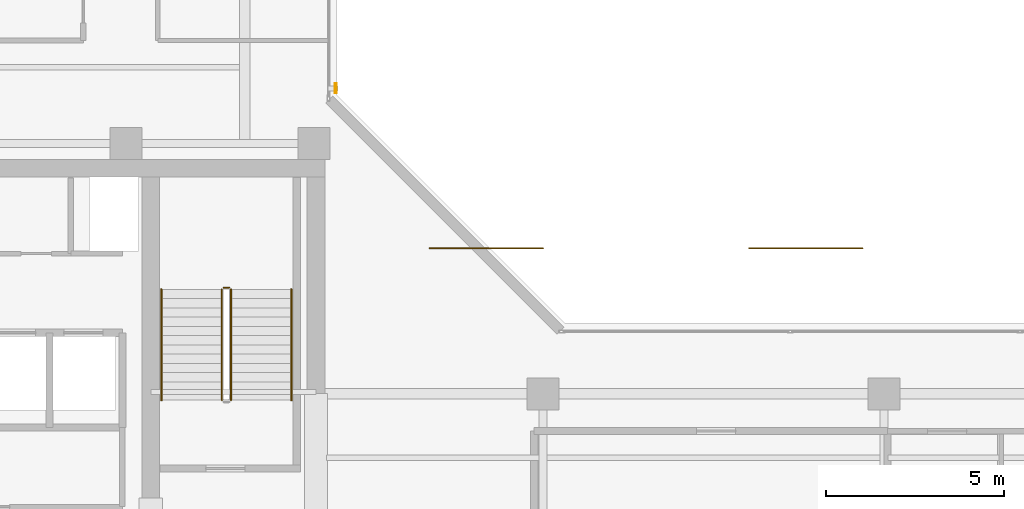
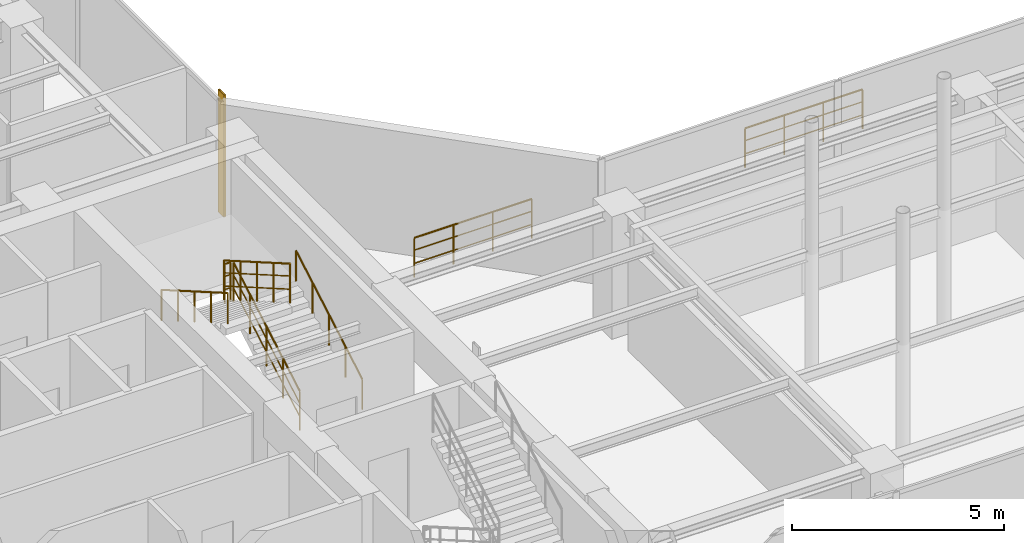
# One storey, part 30 of 32: 7 railings, 1 shading device.
"""IFC4 building model written with IfcOpenShell, lengths in metres."""

import ifcopenshell
import ifcopenshell.guid

model = None  # the IFC model being written
_history = None  # IfcOwnerHistory: only IFC2X3 demands one
_inside = {}  # id of a spatial element -> (the spatial element, [elements in it])
_under = {}  # id of a project, library or spatial element -> (it, [spatial elements below it])
_declared = {}  # id of a project -> (the project, [libraries it declares])
_typed = {}  # id of a type object -> (the type object, [elements of that type])
_made_of = {}  # id of a material, layer set ... -> (it, [elements and type objects made of it])


def new_model(schema):
    """Start an empty IFC model of exactly this schema.

    Asked for "IFC4X3", IfcOpenShell would pick the latest addendum, in which some entities
    have other attributes; the version numbers below select the first issue.
    IFC2X3 requires an IfcOwnerHistory on every rooted entity: one is made here for all.
    """
    global model, _history
    if schema == "IFC4X3":
        model = ifcopenshell.file(schema_version=(4, 3, 0, 0))
    else:
        model = ifcopenshell.file(schema=schema)
    _inside.clear()
    _under.clear()
    _declared.clear()
    _typed.clear()
    _made_of.clear()
    _history = None
    if model.schema == "IFC2X3":
        org = make("IfcOrganization", Name="unknown")
        user = make(
            "IfcPersonAndOrganization",
            ThePerson=make("IfcPerson", FamilyName="unknown"),
            TheOrganization=org,
        )
        app = make(
            "IfcApplication",
            ApplicationDeveloper=org,
            Version="unknown",
            ApplicationFullName="unknown",
            ApplicationIdentifier="unknown",
        )
        _history = make(
            "IfcOwnerHistory",
            OwningUser=user,
            OwningApplication=app,
            ChangeAction="ADDED",
            CreationDate=0,
        )
    return model


def make(cls, **values):
    """One entity of the class cls with the attributes given. An attribute that is None is left unset."""
    return model.create_entity(
        cls, **{name: value for name, value in values.items() if value is not None}
    )


def rooted(cls, **values):
    """An entity with a GlobalId (a new one), such as an element, a storey or a relation."""
    return make(cls, GlobalId=ifcopenshell.guid.new(), OwnerHistory=_history, **values)


def si_unit(unit_type, name, prefix=None):
    """IfcSIUnit, for example si_unit("LENGTHUNIT", "METRE", prefix="MILLI")."""
    return make("IfcSIUnit", UnitType=unit_type, Prefix=prefix, Name=name)


def assignment(units):
    """IfcUnitAssignment: the units of a project."""
    return None if units is None else make("IfcUnitAssignment", Units=units)


def point(xyz):
    """IfcCartesianPoint."""
    return None if xyz is None else make("IfcCartesianPoint", Coordinates=xyz)


def direction(xyz):
    """IfcDirection."""
    return None if xyz is None else make("IfcDirection", DirectionRatios=xyz)


def frame(location, z_axis=None, x_axis=None):
    """IfcAxis2Placement3D, a coordinate frame: its origin and axes. An axis left out is left unset."""
    return make(
        "IfcAxis2Placement3D",
        Location=point(location),
        Axis=direction(z_axis),
        RefDirection=direction(x_axis),
    )


def frame_2d(location, x_axis=None):
    """IfcAxis2Placement2D, a coordinate frame in the plane: its origin and x axis."""
    return make(
        "IfcAxis2Placement2D", Location=point(location), RefDirection=direction(x_axis)
    )


def origin():
    """The frame at (0, 0, 0) with its axes left unset."""
    return frame((0.0, 0.0, 0.0))


def origin_2d():
    """The frame at (0, 0) in the plane with its x axis left unset."""
    return frame_2d((0.0, 0.0))


def place(relative_to, where):
    """IfcLocalPlacement: puts the frame where relative to a parent placement (None: the world)."""
    return make(
        "IfcLocalPlacement", PlacementRelTo=relative_to, RelativePlacement=where
    )


def context(
    kind, dimensions, precision=None, world=None, true_north=None, identifier=None
):
    """IfcGeometricRepresentationContext, for example the 3D "Model" context."""
    return make(
        "IfcGeometricRepresentationContext",
        ContextIdentifier=identifier,
        ContextType=kind,
        CoordinateSpaceDimension=dimensions,
        Precision=precision,
        WorldCoordinateSystem=world,
        TrueNorth=true_north,
    )


def subcontext(parent, identifier, kind, view, scale=None):
    """IfcGeometricRepresentationSubContext, for example "Body" below "Model"."""
    return make(
        "IfcGeometricRepresentationSubContext",
        ContextIdentifier=identifier,
        ContextType=kind,
        ParentContext=parent,
        TargetScale=scale,
        TargetView=view,
    )


def project(units=None, contexts=None):
    """IfcProject with its units and contexts."""
    return rooted(
        "IfcProject",
        Name="project",
        RepresentationContexts=contexts,
        UnitsInContext=assignment(units),
    )


def spatial(cls, under=None, at=None, **own):
    """A site, building, storey or space (cls), placed at a placement, below another one or the project."""
    s = rooted(cls, ObjectPlacement=at, **own)
    if under is not None:
        _under.setdefault(under.id(), (under, []))[1].append(s)
    return s


def profile(cls, at=None, kind="AREA", **sizes):
    """A parametric profile (cls). Its sizes go by their IFC names, for example OverallWidth=200.0."""
    return make(cls, ProfileType=kind, Position=at, **sizes)


def hollow_rectangle(**sizes):
    """IfcRectangleHollowProfileDef."""
    return profile("IfcRectangleHollowProfileDef", **sizes)


def circle(**sizes):
    """IfcCircleProfileDef."""
    return profile("IfcCircleProfileDef", **sizes)


def extrude(swept, where, along, depth):
    """IfcExtrudedAreaSolid: the profile swept, set in the frame where, extruded along a direction by depth."""
    return make(
        "IfcExtrudedAreaSolid",
        SweptArea=swept,
        Position=where,
        ExtrudedDirection=direction(along),
        Depth=depth,
    )


def shape(context_of_items, identifier, shape_type, items):
    """IfcShapeRepresentation: the items that make up one representation, for example the "Body"."""
    return make(
        "IfcShapeRepresentation",
        ContextOfItems=context_of_items,
        RepresentationIdentifier=identifier,
        RepresentationType=shape_type,
        Items=items,
    )


def material(Name=None, Category=None):
    """IfcMaterial."""
    return make("IfcMaterial", Name=Name, Category=Category)


def material_profile(
    of_material, cross_section, Name=None, Category=None, Priority=None
):
    """IfcMaterialProfile: a cross section and its material."""
    return make(
        "IfcMaterialProfile",
        Name=Name,
        Material=of_material,
        Profile=cross_section,
        Priority=Priority,
        Category=Category,
    )


def profile_set(profiles, Name=None, composite=None):
    """IfcMaterialProfileSet."""
    return make(
        "IfcMaterialProfileSet",
        Name=Name,
        MaterialProfiles=profiles,
        CompositeProfile=composite,
    )


def made_of(thing, what):
    """Note that an element or type object is made of a material, layer set ...; save() writes the relation."""
    if what is not None:
        _made_of.setdefault(what.id(), (what, []))[1].append(thing)
    return thing


def type_object(cls, material=None, **own):
    """A type object (cls), such as IfcWallType, which elements share."""
    return made_of(rooted(cls, **own), material)


def element(
    cls,
    number,
    at=None,
    inside=None,
    cuts=None,
    type_object=None,
    material=None,
    context=None,
    identifier="Body",
    shape_type=None,
    held_by="IfcProductDefinitionShape",
    body=None,
    shapes=None,
    **own,
):
    """One element of the class cls, such as IfcWall. Its Tag is "e" and its number.

    at: its placement. inside: the storey or other place that contains it. cuts: it is an
    opening in that element (IfcRelVoidsElement). A single representation is given by context,
    identifier, shape_type and body (its items); several are given by shapes. held_by: the class
    of the entity that holds the representations. save() writes the other relations.
    """
    e = rooted(cls, Tag="e%d" % number, ObjectPlacement=at, **own)
    if body is not None:
        shapes = [shape(context, identifier, shape_type, body)]
    if shapes is not None:
        e.Representation = make(held_by, Representations=shapes)
    if inside is not None:
        _inside.setdefault(inside.id(), (inside, []))[1].append(e)
    if cuts is not None:
        rooted(
            "IfcRelVoidsElement", RelatingBuildingElement=cuts, RelatedOpeningElement=e
        )
    if type_object is not None:
        _typed.setdefault(type_object.id(), (type_object, []))[1].append(e)
    return made_of(e, material)


def aggregate(whole, parts):
    """IfcRelAggregates: a whole, such as a stair, and the parts it consists of."""
    return rooted("IfcRelAggregates", RelatingObject=whole, RelatedObjects=parts)


def save(model, path):
    """Write the relations noted so far, then the file.

    IfcRelAggregates (storeys below a building ...), IfcRelContainedInSpatialStructure (elements
    in a storey), IfcRelDefinesByType, IfcRelAssociatesMaterial and IfcRelDeclares: one each for
    every whole, place, type object, material and project.
    """
    for whole, parts in _under.values():
        aggregate(whole, parts)
    for where, things in _inside.values():
        rooted(
            "IfcRelContainedInSpatialStructure",
            RelatedElements=things,
            RelatingStructure=where,
        )
    for kind, things in _typed.values():
        rooted("IfcRelDefinesByType", RelatedObjects=things, RelatingType=kind)
    for what, things in _made_of.values():
        rooted("IfcRelAssociatesMaterial", RelatedObjects=things, RelatingMaterial=what)
    for by, libraries in _declared.values():
        rooted("IfcRelDeclares", RelatingContext=by, RelatedDefinitions=libraries)
    model.write(path)


model = new_model("IFC4")

# Units and contexts
model_context = context("Model", 3, precision=1e-05, world=origin(), true_north=direction((0.0, 1.0)))
body_context = subcontext(model_context, "Body", "Model", "MODEL_VIEW")
ifc_project = project(units=[si_unit("LENGTHUNIT", "METRE"), si_unit("AREAUNIT", "SQUARE_METRE"), si_unit("VOLUMEUNIT", "CUBIC_METRE"), si_unit("PLANEANGLEUNIT", "RADIAN"), si_unit("MASSUNIT", "GRAM", prefix="KILO")], contexts=[model_context])

# Site, building, storey
site_placement = place(None, origin())
site = spatial("IfcSite", under=ifc_project, at=site_placement, CompositionType="ELEMENT")
building_placement = place(site_placement, origin())
building = spatial("IfcBuilding", under=site, at=building_placement, Name="Kolvaren Waterfront Exchange", CompositionType="ELEMENT")
storey_placement = place(building_placement, frame((0.0, 0.0, 348.10009765625)))
storey = spatial("IfcBuildingStorey", under=building, at=storey_placement, Name="L89", CompositionType="ELEMENT", Elevation=348.10009765625)

# Railings
ifc_material_1 = material(Name="Anodised bronze aluminium and laminated glass", Category="aluminium")
railing_type_1 = type_object("IfcRailingType", Name="ARC-BALUSTRADE-1150", PredefinedType="BALUSTRADE", material=ifc_material_1)
for number, where, name in (
    (1, (24.0, 21.5, 0.0), "L89 gallery balustrade 1"),
    (2, (33.0, 21.5, 0.0), "L89 gallery balustrade 2"),
):
    element("IfcRailing", number, at=place(storey_placement, frame(where)), inside=storey, type_object=railing_type_1, Name=name, PredefinedType="BALUSTRADE", context=body_context, shape_type="SweptSolid", body=[
        extrude(circle(Radius=0.02392578125, at=origin_2d()), frame((0.0, 0.0, 1.1259765625), z_axis=(1.0, 0.0, 0.0), x_axis=(0.0, 1.0, 0.0)), (0.0, 0.0, 1.0), 3.199951171875),
        extrude(circle(Radius=0.01611328125, at=origin_2d()), frame((0.0, 0.0, 0.390869140625), z_axis=(1.0, 0.0, 0.0), x_axis=(0.0, 1.0, 0.0)), (0.0, 0.0, 1.0), 3.199951171875),
        extrude(circle(Radius=0.01611328125, at=origin_2d()), frame((0.0, 0.0, 0.7705078125), z_axis=(1.0, 0.0, 0.0), x_axis=(0.0, 1.0, 0.0)), (0.0, 0.0, 1.0), 3.199951171875),
        extrude(circle(Radius=0.02099609375, at=origin_2d()), origin(), (0.0, 0.0, 1.0), 1.101806640625),
        extrude(circle(Radius=0.02099609375, at=origin_2d()), frame((1.066650390625, 0.0, 0.0)), (0.0, 0.0, 1.0), 1.101806640625),
        extrude(circle(Radius=0.02099609375, at=origin_2d()), frame((2.13330078125, 0.0, 0.0)), (0.0, 0.0, 1.0), 1.101806640625),
        extrude(circle(Radius=0.02099609375, at=origin_2d()), frame((3.199951171875, 0.0, 0.0)), (0.0, 0.0, 1.0), 1.101806640625),
    ])

# Shading device
ifc_material_2 = material(Name="Anodised bronze aluminium 6063-T6", Category="aluminium")
ifc_material_profile = material_profile(ifc_material_2, hollow_rectangle(XDim=0.054931640625, YDim=0.280029296875, WallThickness=0.00439453125, at=origin_2d()), Name="BRZ-FIN-280x55x4.5")
ifc_profile_set = profile_set([ifc_material_profile], Name="Anodised bronze aluminium 6063-T6")
shading_device_type = type_object("IfcShadingDeviceType", Name="ARC-FIN-280", PredefinedType="USERDEFINED", material=ifc_profile_set)
shading_device_placement = place(storey_placement, frame((21.360107421875, 26.0, 0.0), z_axis=(0.0, 0.0, 1.0), x_axis=(1.0, 0.0, 0.0)))
element("IfcShadingDevice", 3, at=shading_device_placement, inside=storey, type_object=shading_device_type, Name="L89 anodised bronze solar shading fin FIN-L89-E2", ObjectType="SOLAR FIN", PredefinedType="USERDEFINED", context=body_context, shape_type="SweptSolid", body=[
    extrude(hollow_rectangle(XDim=0.054931640625, YDim=0.280029296875, WallThickness=0.00439453125, at=origin_2d()), origin(), (0.0, 0.0, 1.0), 3.52001953125),
])

# Railings
ifc_material_3 = material(Name="Stainless steel 316", Category="steel")
railing_type_2 = type_object("IfcRailingType", Name="ARC-GUARD-STAIR", PredefinedType="GUARDRAIL", material=ifc_material_3)
railing_1_placement = place(storey_placement, frame((18.409912109375, 17.219970703125, 0.14990234375)))
element("IfcRailing", 4, at=railing_1_placement, inside=storey, type_object=railing_type_2, Name="L89 ST2 stair guard 1", PredefinedType="GUARDRAIL", context=body_context, shape_type="SweptSolid", body=[
    extrude(circle(Radius=0.02392578125, at=origin_2d()), frame((0.0, 0.0, 1.1259765625), z_axis=(0.0, 0.86618784276, 0.499718541836), x_axis=(-1.0, 0.0, 0.0)), (0.0, 0.0, 1.0), 3.60205078125),
    extrude(circle(Radius=0.01611328125, at=origin_2d()), frame((0.0, 0.0, 0.390869140625), z_axis=(0.0, 0.86618784276, 0.499718541836), x_axis=(-1.0, 0.0, 0.0)), (0.0, 0.0, 1.0), 3.60205078125),
    extrude(circle(Radius=0.01611328125, at=origin_2d()), frame((0.0, 0.0, 0.7705078125), z_axis=(0.0, 0.86618784276, 0.499718541836), x_axis=(-1.0, 0.0, 0.0)), (0.0, 0.0, 1.0), 3.60205078125),
    extrude(circle(Radius=0.02099609375, at=origin_2d()), origin(), (0.0, 0.0, 1.0), 1.101806640625),
    extrude(circle(Radius=0.02099609375, at=origin_2d()), frame((0.0, 0.780029296875, 0.449951171875)), (0.0, 0.0, 1.0), 1.101806640625),
    extrude(circle(Radius=0.02099609375, at=origin_2d()), frame((0.0, 1.56005859375, 0.89990234375)), (0.0, 0.0, 1.0), 1.101806640625),
    extrude(circle(Radius=0.02099609375, at=origin_2d()), frame((0.0, 2.340087890625, 1.35009765625)), (0.0, 0.0, 1.0), 1.101806640625),
    extrude(circle(Radius=0.02099609375, at=origin_2d()), frame((0.0, 3.1201171875, 1.800048828125)), (0.0, 0.0, 1.0), 1.101806640625),
])
railing_2_placement = place(storey_placement, frame((18.360107421875, 20.389892578125, 1.949951171875)))
element("IfcRailing", 5, at=railing_2_placement, inside=storey, type_object=railing_type_2, Name="L89 ST2 stair guard 2", PredefinedType="GUARDRAIL", context=body_context, shape_type="SweptSolid", body=[
    extrude(circle(Radius=0.02392578125, at=origin_2d()), frame((0.0, 0.0, 1.1259765625), z_axis=(-1.0, 0.0, 0.0), x_axis=(0.0, -1.0, 0.0)), (0.0, 0.0, 1.0), 0.16015625),
    extrude(circle(Radius=0.01611328125, at=origin_2d()), frame((0.0, 0.0, 0.390869140625), z_axis=(-1.0, 0.0, 0.0), x_axis=(0.0, -1.0, 0.0)), (0.0, 0.0, 1.0), 0.16015625),
    extrude(circle(Radius=0.01611328125, at=origin_2d()), frame((0.0, 0.0, 0.7705078125), z_axis=(-1.0, 0.0, 0.0), x_axis=(0.0, -1.0, 0.0)), (0.0, 0.0, 1.0), 0.16015625),
    extrude(circle(Radius=0.02099609375, at=origin_2d()), origin(), (0.0, 0.0, 1.0), 1.101806640625),
    extrude(circle(Radius=0.02099609375, at=origin_2d()), frame((-0.16015625, 0.0, 0.0)), (0.0, 0.0, 1.0), 1.101806640625),
])
railing_3_placement = place(storey_placement, frame((18.14990234375, 20.340087890625, 2.099853515625)))
element("IfcRailing", 6, at=railing_3_placement, inside=storey, type_object=railing_type_2, Name="L89 ST2 stair guard 3", PredefinedType="GUARDRAIL", context=body_context, shape_type="SweptSolid", body=[
    extrude(circle(Radius=0.02392578125, at=origin_2d()), frame((0.0, 0.0, 1.1259765625), z_axis=(0.0, -0.86618784276, 0.499718541836), x_axis=(1.0, 0.0, 0.0)), (0.0, 0.0, 1.0), 3.60205078125),
    extrude(circle(Radius=0.01611328125, at=origin_2d()), frame((0.0, 0.0, 0.390869140625), z_axis=(0.0, -0.86618784276, 0.499718541836), x_axis=(1.0, 0.0, 0.0)), (0.0, 0.0, 1.0), 3.60205078125),
    extrude(circle(Radius=0.01611328125, at=origin_2d()), frame((0.0, 0.0, 0.7705078125), z_axis=(0.0, -0.86618784276, 0.499718541836), x_axis=(1.0, 0.0, 0.0)), (0.0, 0.0, 1.0), 3.60205078125),
    extrude(circle(Radius=0.02099609375, at=origin_2d()), origin(), (0.0, 0.0, 1.0), 1.101806640625),
    extrude(circle(Radius=0.02099609375, at=origin_2d()), frame((0.0, -0.780029296875, 0.449951171875)), (0.0, 0.0, 1.0), 1.101806640625),
    extrude(circle(Radius=0.02099609375, at=origin_2d()), frame((0.0, -1.56005859375, 0.89990234375)), (0.0, 0.0, 1.0), 1.101806640625),
    extrude(circle(Radius=0.02099609375, at=origin_2d()), frame((0.0, -2.340087890625, 1.35009765625)), (0.0, 0.0, 1.0), 1.101806640625),
    extrude(circle(Radius=0.02099609375, at=origin_2d()), frame((0.0, -3.1201171875, 1.800048828125)), (0.0, 0.0, 1.0), 1.101806640625),
])
railing_type_3 = type_object("IfcRailingType", Name="ARC-HANDRAIL-900", PredefinedType="HANDRAIL", material=ifc_material_3)
railing_4_placement = place(storey_placement, frame((20.110107421875, 17.219970703125, 0.14990234375)))
element("IfcRailing", 7, at=railing_4_placement, inside=storey, type_object=railing_type_3, Name="L89 ST2 stair handrail 1", PredefinedType="HANDRAIL", context=body_context, shape_type="SweptSolid", body=[
    extrude(circle(Radius=0.02392578125, at=origin_2d()), frame((0.0, 0.0, 0.8759765625), z_axis=(0.0, 0.86618784276, 0.499718541836), x_axis=(-1.0, 0.0, 0.0)), (0.0, 0.0, 1.0), 3.60205078125),
    extrude(circle(Radius=0.02099609375, at=origin_2d()), origin(), (0.0, 0.0, 1.0), 0.851806640625),
    extrude(circle(Radius=0.02099609375, at=origin_2d()), frame((0.0, 0.780029296875, 0.449951171875)), (0.0, 0.0, 1.0), 0.851806640625),
    extrude(circle(Radius=0.02099609375, at=origin_2d()), frame((0.0, 1.56005859375, 0.89990234375)), (0.0, 0.0, 1.0), 0.851806640625),
    extrude(circle(Radius=0.02099609375, at=origin_2d()), frame((0.0, 2.340087890625, 1.35009765625)), (0.0, 0.0, 1.0), 0.851806640625),
    extrude(circle(Radius=0.02099609375, at=origin_2d()), frame((0.0, 3.1201171875, 1.800048828125)), (0.0, 0.0, 1.0), 0.851806640625),
])
railing_5_placement = place(storey_placement, frame((16.449951171875, 20.340087890625, 2.099853515625)))
element("IfcRailing", 8, at=railing_5_placement, inside=storey, type_object=railing_type_3, Name="L89 ST2 stair handrail 2", PredefinedType="HANDRAIL", context=body_context, shape_type="SweptSolid", body=[
    extrude(circle(Radius=0.02392578125, at=origin_2d()), frame((0.0, 0.0, 0.8759765625), z_axis=(0.0, -0.86618784276, 0.499718541836), x_axis=(1.0, 0.0, 0.0)), (0.0, 0.0, 1.0), 3.60205078125),
    extrude(circle(Radius=0.02099609375, at=origin_2d()), origin(), (0.0, 0.0, 1.0), 0.851806640625),
    extrude(circle(Radius=0.02099609375, at=origin_2d()), frame((0.0, -0.780029296875, 0.449951171875)), (0.0, 0.0, 1.0), 0.851806640625),
    extrude(circle(Radius=0.02099609375, at=origin_2d()), frame((0.0, -1.56005859375, 0.89990234375)), (0.0, 0.0, 1.0), 0.851806640625),
    extrude(circle(Radius=0.02099609375, at=origin_2d()), frame((0.0, -2.340087890625, 1.35009765625)), (0.0, 0.0, 1.0), 0.851806640625),
    extrude(circle(Radius=0.02099609375, at=origin_2d()), frame((0.0, -3.1201171875, 1.800048828125)), (0.0, 0.0, 1.0), 0.851806640625),
])

save(model, "model.ifc")
